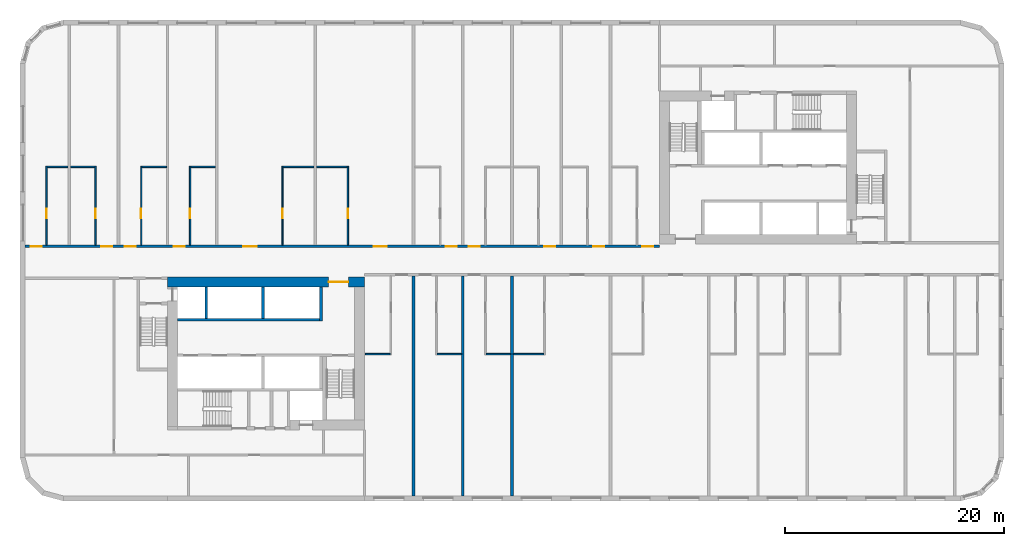
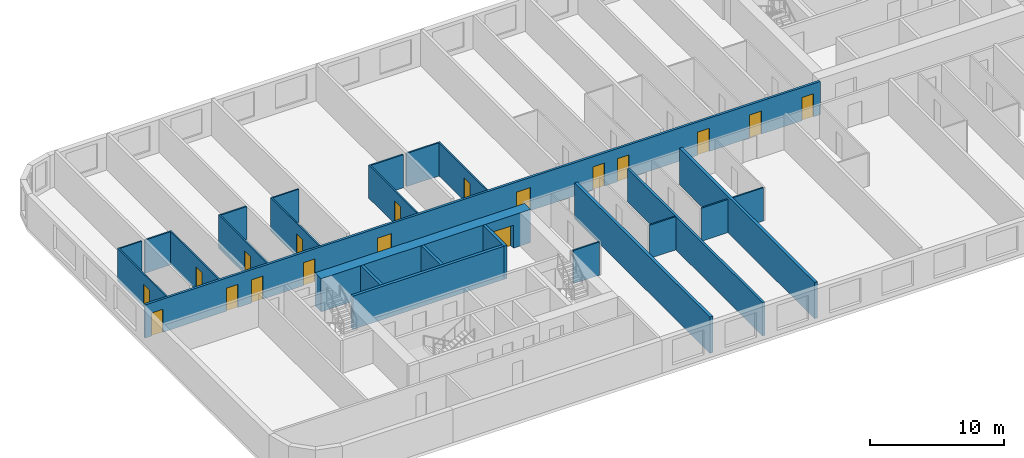
# One storey, part 3 of 12: 25 walls, 18 doors, 18 openings.
"""IFC4 building model written with IfcOpenShell, lengths in metres."""

from ifc_helpers import new_model, si_unit, direction, frame, frame_2d, origin, place, context, subcontext, project, spatial, rectangle, extrude, material, layer, layer_set, type_object, element, fill, save


model = new_model("IFC4")

# Units and contexts
model_context = context("Model", 3, precision=1e-05, world=origin(), true_north=direction((0.0, 1.0)))
body_context = subcontext(model_context, "Body", "Model", "MODEL_VIEW")
ifc_project = project(units=[si_unit("LENGTHUNIT", "METRE"), si_unit("AREAUNIT", "SQUARE_METRE"), si_unit("VOLUMEUNIT", "CUBIC_METRE"), si_unit("PLANEANGLEUNIT", "RADIAN"), si_unit("MASSUNIT", "GRAM", prefix="KILO")], contexts=[model_context])

# Site, building, storey
site_placement = place(None, origin())
site = spatial("IfcSite", under=ifc_project, at=site_placement, CompositionType="ELEMENT")
building_placement = place(site_placement, origin())
building = spatial("IfcBuilding", under=site, at=building_placement, Name="Kajstack Hotel Tower", CompositionType="ELEMENT")
storey_placement = place(building_placement, frame((0.0, 0.0, 73.199951171875)))
storey = spatial("IfcBuildingStorey", under=building, at=storey_placement, Name="L13", CompositionType="ELEMENT", Elevation=73.199951171875)

# Wall, opening, door
ifc_material_1 = material(Name="Concrete C60/75", Category="concrete")
ifc_layer_1 = layer(ifc_material_1, 0.89990234375)
ifc_layer_set_1 = layer_set([ifc_layer_1], Name="Core wall 900")
wall_type_1 = type_object("IfcWallType", Name="Core wall 900", PredefinedType="SHEAR", material=ifc_layer_set_1)
wall_1_placement = place(storey_placement, frame((-31.5, -1.949951171875, 0.0), z_axis=(0.0, 0.0, 1.0), x_axis=(1.0, 0.0, 0.0)))
wall_1 = element("IfcWall", 1, at=wall_1_placement, inside=storey, type_object=wall_type_1, Name="Core wall W RN", PredefinedType="SHEAR", context=body_context, shape_type="SweptSolid", body=[
    extrude(rectangle(XDim=18.0, YDim=0.89990234375, at=frame_2d((9.0, 0.0))), origin(), (0.0, 0.0, 1.0), 3.02001953125),
])
opening_1_placement = place(wall_1_placement, frame((14.72509765625, 0.0, 0.0)))
opening_1 = element("IfcOpeningElement", 2, at=opening_1_placement, cuts=wall_1, Name="Opening 13W06", PredefinedType="OPENING", context=body_context, shape_type="SweptSolid", body=[
    extrude(rectangle(XDim=1.800048828125, YDim=2.10009765625, at=frame_2d((0.89990234375, 1.050048828125))), frame((0.0, 0.4599609375, 0.0), z_axis=(0.0, -1.0, 0.0), x_axis=(1.0, 0.0, 0.0)), (0.0, 0.0, 1.0), 0.919921875),
])
ifc_material_2 = material(Name="Glazed steel frame, fire-rated glass", Category="steel")
door_type_1 = type_object("IfcDoorType", Name="Lobby double door 1800", OperationType="DOUBLE_DOOR_DOUBLE_SWING", PredefinedType="DOOR", material=ifc_material_2)
door_1_placement = place(opening_1_placement, origin())
door_1 = element("IfcDoor", 3, at=door_1_placement, inside=storey, type_object=door_type_1, Name="Door 13W06", OperationType="DOUBLE_DOOR_DOUBLE_SWING", OverallHeight=2.10009765625, OverallWidth=1.800048828125, PredefinedType="DOOR", context=body_context, shape_type="SweptSolid", body=[
    extrude(rectangle(XDim=1.800048828125, YDim=2.10009765625, at=frame_2d((0.89990234375, 1.050048828125))), frame((0.0, 0.02490234375, 0.0), z_axis=(0.0, -1.0, 0.0), x_axis=(1.0, 0.0, 0.0)), (0.0, 0.0, 1.0), 0.050048828125),
])
fill(opening_1, door_1)

# Wall, openings, doors
ifc_material_3 = material(Name="Gypsum board on steel studs, mineral wool", Category="steel")
ifc_layer_2 = layer(ifc_material_3, 0.199951171875)
ifc_layer_set_2 = layer_set([ifc_layer_2], Name="Corridor wall 200")
wall_type_2 = type_object("IfcWallType", Name="Corridor wall 200", PredefinedType="PARTITIONING", material=ifc_layer_set_2)
wall_2_placement = place(storey_placement, frame((-44.550048828125, 1.300048828125, 0.0), z_axis=(0.0, 0.0, 1.0), x_axis=(1.0, 0.0, 0.0)))
wall_2 = element("IfcWall", 4, at=wall_2_placement, inside=storey, type_object=wall_type_2, Name="G-wall-L13-003", PredefinedType="PARTITIONING", context=body_context, shape_type="SweptSolid", body=[
    extrude(rectangle(XDim=58.050048828125, YDim=0.199951171875, at=frame_2d((29.02490234375, 0.0))), origin(), (0.0, 0.0, 1.0), 3.02001953125),
])
opening_2_placement = place(wall_2_placement, frame((0.52490234375, 0.0, 0.0)))
opening_2 = element("IfcOpeningElement", 5, at=opening_2_placement, cuts=wall_2, Name="Opening 13001", PredefinedType="OPENING", context=body_context, shape_type="SweptSolid", body=[
    extrude(rectangle(XDim=1.0, YDim=2.10009765625, at=frame_2d((0.5, 1.050048828125))), frame((0.0, 0.10986328125, 0.0), z_axis=(0.0, -1.0, 0.0), x_axis=(1.0, 0.0, 0.0)), (0.0, 0.0, 1.0), 0.219970703125),
])
opening_3_placement = place(wall_2_placement, frame((6.97509765625, 0.0, 0.0)))
opening_3 = element("IfcOpeningElement", 6, at=opening_3_placement, cuts=wall_2, Name="Opening 13003", PredefinedType="OPENING", context=body_context, shape_type="SweptSolid", body=[
    extrude(rectangle(XDim=1.0, YDim=2.10009765625, at=frame_2d((0.5, 1.050048828125))), frame((0.0, 0.10986328125, 0.0), z_axis=(0.0, -1.0, 0.0), x_axis=(1.0, 0.0, 0.0)), (0.0, 0.0, 1.0), 0.219970703125),
])
opening_4_placement = place(wall_2_placement, frame((9.125, 0.0, 0.0)))
opening_4 = element("IfcOpeningElement", 7, at=opening_4_placement, cuts=wall_2, Name="Opening 13005", PredefinedType="OPENING", context=body_context, shape_type="SweptSolid", body=[
    extrude(rectangle(XDim=1.0, YDim=2.10009765625, at=frame_2d((0.5, 1.050048828125))), frame((0.0, 0.10986328125, 0.0), z_axis=(0.0, -1.0, 0.0), x_axis=(1.0, 0.0, 0.0)), (0.0, 0.0, 1.0), 0.219970703125),
])
opening_5_placement = place(wall_2_placement, frame((13.60009765625, 0.0, 0.0)))
opening_5 = element("IfcOpeningElement", 8, at=opening_5_placement, cuts=wall_2, Name="Opening 13007", PredefinedType="OPENING", context=body_context, shape_type="SweptSolid", body=[
    extrude(rectangle(XDim=1.0, YDim=2.10009765625, at=frame_2d((0.5, 1.050048828125))), frame((0.0, 0.10986328125, 0.0), z_axis=(0.0, -1.0, 0.0), x_axis=(1.0, 0.0, 0.0)), (0.0, 0.0, 1.0), 0.219970703125),
])
opening_6_placement = place(wall_2_placement, frame((19.987060546875, 0.0, 0.0)))
opening_6 = element("IfcOpeningElement", 9, at=opening_6_placement, cuts=wall_2, Name="Opening 13009", PredefinedType="OPENING", context=body_context, shape_type="SweptSolid", body=[
    extrude(rectangle(XDim=1.199951171875, YDim=2.10009765625, at=frame_2d((0.60009765625, 1.050048828125))), frame((0.0, 0.10986328125, 0.0), z_axis=(0.0, -1.0, 0.0), x_axis=(1.0, 0.0, 0.0)), (0.0, 0.0, 1.0), 0.219970703125),
])
opening_7_placement = place(wall_2_placement, frame((31.912109375, 0.0, 0.0)))
opening_7 = element("IfcOpeningElement", 10, at=opening_7_placement, cuts=wall_2, Name="Opening 13011", PredefinedType="OPENING", context=body_context, shape_type="SweptSolid", body=[
    extrude(rectangle(XDim=1.199951171875, YDim=2.10009765625, at=frame_2d((0.60009765625, 1.050048828125))), frame((0.0, 0.10986328125, 0.0), z_axis=(0.0, -1.0, 0.0), x_axis=(1.0, 0.0, 0.0)), (0.0, 0.0, 1.0), 0.219970703125),
])
opening_8_placement = place(wall_2_placement, frame((38.5, 0.0, 0.0)))
opening_8 = element("IfcOpeningElement", 11, at=opening_8_placement, cuts=wall_2, Name="Opening 13013", PredefinedType="OPENING", context=body_context, shape_type="SweptSolid", body=[
    extrude(rectangle(XDim=1.0, YDim=2.10009765625, at=frame_2d((0.5, 1.050048828125))), frame((0.0, 0.10986328125, 0.0), z_axis=(0.0, -1.0, 0.0), x_axis=(1.0, 0.0, 0.0)), (0.0, 0.0, 1.0), 0.219970703125),
])
opening_9_placement = place(wall_2_placement, frame((40.60009765625, 0.0, 0.0)))
opening_9 = element("IfcOpeningElement", 12, at=opening_9_placement, cuts=wall_2, Name="Opening 13015", PredefinedType="OPENING", context=body_context, shape_type="SweptSolid", body=[
    extrude(rectangle(XDim=1.0, YDim=2.10009765625, at=frame_2d((0.5, 1.050048828125))), frame((0.0, 0.10986328125, 0.0), z_axis=(0.0, -1.0, 0.0), x_axis=(1.0, 0.0, 0.0)), (0.0, 0.0, 1.0), 0.219970703125),
])
opening_10_placement = place(wall_2_placement, frame((47.5, 0.0, 0.0)))
opening_10 = element("IfcOpeningElement", 13, at=opening_10_placement, cuts=wall_2, Name="Opening 13017", PredefinedType="OPENING", context=body_context, shape_type="SweptSolid", body=[
    extrude(rectangle(XDim=1.0, YDim=2.10009765625, at=frame_2d((0.5, 1.050048828125))), frame((0.0, 0.10986328125, 0.0), z_axis=(0.0, -1.0, 0.0), x_axis=(1.0, 0.0, 0.0)), (0.0, 0.0, 1.0), 0.219970703125),
])
opening_11_placement = place(wall_2_placement, frame((51.97509765625, 0.0, 0.0)))
opening_11 = element("IfcOpeningElement", 14, at=opening_11_placement, cuts=wall_2, Name="Opening 13019", PredefinedType="OPENING", context=body_context, shape_type="SweptSolid", body=[
    extrude(rectangle(XDim=1.0, YDim=2.10009765625, at=frame_2d((0.5, 1.050048828125))), frame((0.0, 0.10986328125, 0.0), z_axis=(0.0, -1.0, 0.0), x_axis=(1.0, 0.0, 0.0)), (0.0, 0.0, 1.0), 0.219970703125),
])
opening_12_placement = place(wall_2_placement, frame((56.47509765625, 0.0, 0.0)))
opening_12 = element("IfcOpeningElement", 15, at=opening_12_placement, cuts=wall_2, Name="Opening 13021", PredefinedType="OPENING", context=body_context, shape_type="SweptSolid", body=[
    extrude(rectangle(XDim=1.0, YDim=2.10009765625, at=frame_2d((0.5, 1.050048828125))), frame((0.0, 0.10986328125, 0.0), z_axis=(0.0, -1.0, 0.0), x_axis=(1.0, 0.0, 0.0)), (0.0, 0.0, 1.0), 0.219970703125),
])
ifc_material_4 = material(Name="Oak veneer on timber core, fire-rated leaf", Category="wood")
door_type_2 = type_object("IfcDoorType", Name="Flat entrance door 1000", OperationType="SINGLE_SWING_LEFT", PredefinedType="DOOR", material=ifc_material_4)
door_2_placement = place(opening_2_placement, origin())
door_2 = element("IfcDoor", 16, at=door_2_placement, inside=storey, type_object=door_type_2, Name="G-door-L13-01", OperationType="SINGLE_SWING_RIGHT", OverallHeight=2.10009765625, OverallWidth=1.0, PredefinedType="DOOR", context=body_context, shape_type="SweptSolid", body=[
    extrude(rectangle(XDim=1.0, YDim=2.10009765625, at=frame_2d((0.5, 1.050048828125))), frame((0.0, 0.02490234375, 0.0), z_axis=(0.0, -1.0, 0.0), x_axis=(1.0, 0.0, 0.0)), (0.0, 0.0, 1.0), 0.050048828125),
])
fill(opening_2, door_2)
door_3_placement = place(opening_3_placement, origin())
door_3 = element("IfcDoor", 17, at=door_3_placement, inside=storey, type_object=door_type_2, Name="G-door-L13-03", OperationType="SINGLE_SWING_LEFT", OverallHeight=2.10009765625, OverallWidth=1.0, PredefinedType="DOOR", context=body_context, shape_type="SweptSolid", body=[
    extrude(rectangle(XDim=1.0, YDim=2.10009765625, at=frame_2d((0.5, 1.050048828125))), frame((0.0, 0.02490234375, 0.0), z_axis=(0.0, -1.0, 0.0), x_axis=(1.0, 0.0, 0.0)), (0.0, 0.0, 1.0), 0.050048828125),
])
fill(opening_3, door_3)
door_4_placement = place(opening_4_placement, origin())
door_4 = element("IfcDoor", 18, at=door_4_placement, inside=storey, type_object=door_type_2, Name="G-door-L13-05", OperationType="SINGLE_SWING_RIGHT", OverallHeight=2.10009765625, OverallWidth=1.0, PredefinedType="DOOR", context=body_context, shape_type="SweptSolid", body=[
    extrude(rectangle(XDim=1.0, YDim=2.10009765625, at=frame_2d((0.5, 1.050048828125))), frame((0.0, 0.02490234375, 0.0), z_axis=(0.0, -1.0, 0.0), x_axis=(1.0, 0.0, 0.0)), (0.0, 0.0, 1.0), 0.050048828125),
])
fill(opening_4, door_4)
door_5_placement = place(opening_5_placement, origin())
door_5 = element("IfcDoor", 19, at=door_5_placement, inside=storey, type_object=door_type_2, Name="G-door-L13-07", OperationType="SINGLE_SWING_RIGHT", OverallHeight=2.10009765625, OverallWidth=1.0, PredefinedType="DOOR", context=body_context, shape_type="SweptSolid", body=[
    extrude(rectangle(XDim=1.0, YDim=2.10009765625, at=frame_2d((0.5, 1.050048828125))), frame((0.0, 0.02490234375, 0.0), z_axis=(0.0, -1.0, 0.0), x_axis=(1.0, 0.0, 0.0)), (0.0, 0.0, 1.0), 0.050048828125),
])
fill(opening_5, door_5)
door_6_placement = place(opening_8_placement, origin())
door_6 = element("IfcDoor", 20, at=door_6_placement, inside=storey, type_object=door_type_2, Name="G-door-L13-13", OperationType="SINGLE_SWING_RIGHT", OverallHeight=2.10009765625, OverallWidth=1.0, PredefinedType="DOOR", context=body_context, shape_type="SweptSolid", body=[
    extrude(rectangle(XDim=1.0, YDim=2.10009765625, at=frame_2d((0.5, 1.050048828125))), frame((0.0, 0.02490234375, 0.0), z_axis=(0.0, -1.0, 0.0), x_axis=(1.0, 0.0, 0.0)), (0.0, 0.0, 1.0), 0.050048828125),
])
fill(opening_8, door_6)
door_7_placement = place(opening_9_placement, origin())
door_7 = element("IfcDoor", 21, at=door_7_placement, inside=storey, type_object=door_type_2, Name="G-door-L13-15", OperationType="SINGLE_SWING_RIGHT", OverallHeight=2.10009765625, OverallWidth=1.0, PredefinedType="DOOR", context=body_context, shape_type="SweptSolid", body=[
    extrude(rectangle(XDim=1.0, YDim=2.10009765625, at=frame_2d((0.5, 1.050048828125))), frame((0.0, 0.02490234375, 0.0), z_axis=(0.0, -1.0, 0.0), x_axis=(1.0, 0.0, 0.0)), (0.0, 0.0, 1.0), 0.050048828125),
])
fill(opening_9, door_7)
door_8_placement = place(opening_10_placement, origin())
door_8 = element("IfcDoor", 22, at=door_8_placement, inside=storey, type_object=door_type_2, Name="G-door-L13-17", OperationType="SINGLE_SWING_RIGHT", OverallHeight=2.10009765625, OverallWidth=1.0, PredefinedType="DOOR", context=body_context, shape_type="SweptSolid", body=[
    extrude(rectangle(XDim=1.0, YDim=2.10009765625, at=frame_2d((0.5, 1.050048828125))), frame((0.0, 0.02490234375, 0.0), z_axis=(0.0, -1.0, 0.0), x_axis=(1.0, 0.0, 0.0)), (0.0, 0.0, 1.0), 0.050048828125),
])
fill(opening_10, door_8)
door_9_placement = place(opening_11_placement, origin())
door_9 = element("IfcDoor", 23, at=door_9_placement, inside=storey, type_object=door_type_2, Name="G-door-L13-19", OperationType="SINGLE_SWING_LEFT", OverallHeight=2.10009765625, OverallWidth=1.0, PredefinedType="DOOR", context=body_context, shape_type="SweptSolid", body=[
    extrude(rectangle(XDim=1.0, YDim=2.10009765625, at=frame_2d((0.5, 1.050048828125))), frame((0.0, 0.02490234375, 0.0), z_axis=(0.0, -1.0, 0.0), x_axis=(1.0, 0.0, 0.0)), (0.0, 0.0, 1.0), 0.050048828125),
])
fill(opening_11, door_9)
door_10_placement = place(opening_12_placement, origin())
door_10 = element("IfcDoor", 24, at=door_10_placement, inside=storey, type_object=door_type_2, Name="G-door-L13-21", OperationType="SINGLE_SWING_LEFT", OverallHeight=2.10009765625, OverallWidth=1.0, PredefinedType="DOOR", context=body_context, shape_type="SweptSolid", body=[
    extrude(rectangle(XDim=1.0, YDim=2.10009765625, at=frame_2d((0.5, 1.050048828125))), frame((0.0, 0.02490234375, 0.0), z_axis=(0.0, -1.0, 0.0), x_axis=(1.0, 0.0, 0.0)), (0.0, 0.0, 1.0), 0.050048828125),
])
fill(opening_12, door_10)
door_type_3 = type_object("IfcDoorType", Name="Flat entrance door 1200", OperationType="SINGLE_SWING_LEFT", PredefinedType="DOOR", material=ifc_material_4)
door_11_placement = place(opening_6_placement, origin())
door_11 = element("IfcDoor", 25, at=door_11_placement, inside=storey, type_object=door_type_3, Name="G-door-L13-09", OperationType="SINGLE_SWING_RIGHT", OverallHeight=2.10009765625, OverallWidth=1.199951171875, PredefinedType="DOOR", context=body_context, shape_type="SweptSolid", body=[
    extrude(rectangle(XDim=1.199951171875, YDim=2.10009765625, at=frame_2d((0.60009765625, 1.050048828125))), frame((0.0, 0.02490234375, 0.0), z_axis=(0.0, -1.0, 0.0), x_axis=(1.0, 0.0, 0.0)), (0.0, 0.0, 1.0), 0.050048828125),
])
fill(opening_6, door_11)
door_12_placement = place(opening_7_placement, origin())
door_12 = element("IfcDoor", 26, at=door_12_placement, inside=storey, type_object=door_type_3, Name="G-door-L13-11", OperationType="SINGLE_SWING_RIGHT", OverallHeight=2.10009765625, OverallWidth=1.199951171875, PredefinedType="DOOR", context=body_context, shape_type="SweptSolid", body=[
    extrude(rectangle(XDim=1.199951171875, YDim=2.10009765625, at=frame_2d((0.60009765625, 1.050048828125))), frame((0.0, 0.02490234375, 0.0), z_axis=(0.0, -1.0, 0.0), x_axis=(1.0, 0.0, 0.0)), (0.0, 0.0, 1.0), 0.050048828125),
])
fill(opening_7, door_12)

# Wall
ifc_material_5 = material(Name="Twin-frame gypsum board on steel studs, mineral wool", Category="steel")
ifc_layer_3 = layer(ifc_material_5, 0.199951171875)
ifc_layer_set_3 = layer_set([ifc_layer_3], Name="Demising wall 200")
wall_type_3 = type_object("IfcWallType", Name="Demising wall 200", PredefinedType="PARTITIONING", material=ifc_layer_set_3)
wall_3_placement = place(storey_placement, frame((-4.5, -21.550048828125, 0.0), z_axis=(0.0, 0.0, 1.0), x_axis=(0.0, 1.0, 0.0)))
element("IfcWall", 27, at=wall_3_placement, inside=storey, type_object=wall_type_3, Name="G-wall-L13-032", PredefinedType="PARTITIONING", context=body_context, shape_type="SweptSolid", body=[
    extrude(rectangle(XDim=20.150146484375, YDim=0.199951171875, at=frame_2d((10.0751953125, 0.0))), origin(), (0.0, 0.0, 1.0), 3.02001953125),
])

# Wall, opening, door
ifc_material_6 = material(Name="Gypsum board and tiled backer on steel studs", Category="steel")
ifc_layer_4 = layer(ifc_material_6, 0.125)
ifc_layer_set_4 = layer_set([ifc_layer_4], Name="En-suite wall 125")
wall_type_4 = type_object("IfcWallType", Name="En-suite wall 125", PredefinedType="PARTITIONING", material=ifc_layer_set_4)
wall_4_placement = place(storey_placement, frame((-42.5869140625, 1.39990234375, 0.0), z_axis=(0.0, 0.0, 1.0), x_axis=(0.0, 1.0, 0.0)))
wall_4 = element("IfcWall", 28, at=wall_4_placement, inside=storey, type_object=wall_type_4, Name="G-wall-L13-004", PredefinedType="PARTITIONING", context=body_context, shape_type="SweptSolid", body=[
    extrude(rectangle(XDim=7.22509765625, YDim=0.125, at=frame_2d((3.612548828125, 0.0))), origin(), (0.0, 0.0, 1.0), 3.02001953125),
])
opening_13_placement = place(wall_4_placement, frame((2.449951171875, 0.0, 0.0)))
opening_13 = element("IfcOpeningElement", 29, at=opening_13_placement, cuts=wall_4, Name="Opening 13002", PredefinedType="OPENING", context=body_context, shape_type="SweptSolid", body=[
    extrude(rectangle(XDim=0.89990234375, YDim=2.10009765625, at=frame_2d((0.449951171875, 1.050048828125))), frame((0.0, 0.072509765625, 0.0), z_axis=(0.0, -1.0, 0.0), x_axis=(1.0, 0.0, 0.0)), (0.0, 0.0, 1.0), 0.14501953125),
])
ifc_material_7 = material(Name="Painted timber door leaf", Category="wood")
door_type_4 = type_object("IfcDoorType", Name="Room door 900", OperationType="SINGLE_SWING_LEFT", PredefinedType="DOOR", material=ifc_material_7)
door_13_placement = place(opening_13_placement, origin())
door_13 = element("IfcDoor", 30, at=door_13_placement, inside=storey, type_object=door_type_4, Name="G-door-L13-02", OperationType="SINGLE_SWING_LEFT", OverallHeight=2.10009765625, OverallWidth=0.89990234375, PredefinedType="DOOR", context=body_context, shape_type="SweptSolid", body=[
    extrude(rectangle(XDim=0.89990234375, YDim=2.10009765625, at=frame_2d((0.449951171875, 1.050048828125))), frame((0.0, 0.02490234375, 0.0), z_axis=(0.0, -1.0, 0.0), x_axis=(1.0, 0.0, 0.0)), (0.0, 0.0, 1.0), 0.050048828125),
])
fill(opening_13, door_13)

# Wall
wall_5_placement = place(storey_placement, frame((-42.52490234375, 8.56201171875, 0.0), z_axis=(0.0, 0.0, 1.0), x_axis=(1.0, 0.0, 0.0)))
element("IfcWall", 31, at=wall_5_placement, inside=storey, type_object=wall_type_4, Name="G-wall-L13-005", PredefinedType="PARTITIONING", context=body_context, shape_type="SweptSolid", body=[
    extrude(rectangle(XDim=1.89990234375, YDim=0.125, at=frame_2d((0.949951171875, 0.0))), origin(), (0.0, 0.0, 1.0), 3.02001953125),
])

# Wall, opening, door
wall_6_placement = place(storey_placement, frame((-38.0869140625, 1.39990234375, 0.0), z_axis=(0.0, 0.0, 1.0), x_axis=(0.0, 1.0, 0.0)))
wall_6 = element("IfcWall", 32, at=wall_6_placement, inside=storey, type_object=wall_type_4, Name="G-wall-L13-006", PredefinedType="PARTITIONING", context=body_context, shape_type="SweptSolid", body=[
    extrude(rectangle(XDim=7.22509765625, YDim=0.125, at=frame_2d((3.612548828125, 0.0))), origin(), (0.0, 0.0, 1.0), 3.02001953125),
])
opening_14_placement = place(wall_6_placement, frame((2.449951171875, 0.0, 0.0)))
opening_14 = element("IfcOpeningElement", 33, at=opening_14_placement, cuts=wall_6, Name="Opening 13004", PredefinedType="OPENING", context=body_context, shape_type="SweptSolid", body=[
    extrude(rectangle(XDim=0.89990234375, YDim=2.10009765625, at=frame_2d((0.449951171875, 1.050048828125))), frame((0.0, 0.072509765625, 0.0), z_axis=(0.0, -1.0, 0.0), x_axis=(1.0, 0.0, 0.0)), (0.0, 0.0, 1.0), 0.14501953125),
])
door_14_placement = place(opening_14_placement, origin())
door_14 = element("IfcDoor", 34, at=door_14_placement, inside=storey, type_object=door_type_4, Name="G-door-L13-04", OperationType="SINGLE_SWING_RIGHT", OverallHeight=2.10009765625, OverallWidth=0.89990234375, PredefinedType="DOOR", context=body_context, shape_type="SweptSolid", body=[
    extrude(rectangle(XDim=0.89990234375, YDim=2.10009765625, at=frame_2d((0.449951171875, 1.050048828125))), frame((0.0, 0.02490234375, 0.0), z_axis=(0.0, -1.0, 0.0), x_axis=(1.0, 0.0, 0.0)), (0.0, 0.0, 1.0), 0.050048828125),
])
fill(opening_14, door_14)

# Wall
wall_7_placement = place(storey_placement, frame((-40.375, 8.56201171875, 0.0), z_axis=(0.0, 0.0, 1.0), x_axis=(1.0, 0.0, 0.0)))
element("IfcWall", 35, at=wall_7_placement, inside=storey, type_object=wall_type_4, Name="G-wall-L13-007", PredefinedType="PARTITIONING", context=body_context, shape_type="SweptSolid", body=[
    extrude(rectangle(XDim=2.22509765625, YDim=0.125, at=frame_2d((1.112548828125, 0.0))), origin(), (0.0, 0.0, 1.0), 3.02001953125),
])

# Wall, opening, door
wall_8_placement = place(storey_placement, frame((-33.9130859375, 1.39990234375, 0.0), z_axis=(0.0, 0.0, 1.0), x_axis=(0.0, 1.0, 0.0)))
wall_8 = element("IfcWall", 36, at=wall_8_placement, inside=storey, type_object=wall_type_4, Name="G-wall-L13-009", PredefinedType="PARTITIONING", context=body_context, shape_type="SweptSolid", body=[
    extrude(rectangle(XDim=7.22509765625, YDim=0.125, at=frame_2d((3.612548828125, 0.0))), origin(), (0.0, 0.0, 1.0), 3.02001953125),
])
opening_15_placement = place(wall_8_placement, frame((2.449951171875, 0.0, 0.0)))
opening_15 = element("IfcOpeningElement", 37, at=opening_15_placement, cuts=wall_8, Name="Opening 13006", PredefinedType="OPENING", context=body_context, shape_type="SweptSolid", body=[
    extrude(rectangle(XDim=0.89990234375, YDim=2.10009765625, at=frame_2d((0.449951171875, 1.050048828125))), frame((0.0, 0.072509765625, 0.0), z_axis=(0.0, -1.0, 0.0), x_axis=(1.0, 0.0, 0.0)), (0.0, 0.0, 1.0), 0.14501953125),
])
door_15_placement = place(opening_15_placement, origin())
door_15 = element("IfcDoor", 38, at=door_15_placement, inside=storey, type_object=door_type_4, Name="G-door-L13-06", OperationType="SINGLE_SWING_RIGHT", OverallHeight=2.10009765625, OverallWidth=0.89990234375, PredefinedType="DOOR", context=body_context, shape_type="SweptSolid", body=[
    extrude(rectangle(XDim=0.89990234375, YDim=2.10009765625, at=frame_2d((0.449951171875, 1.050048828125))), frame((0.0, 0.02490234375, 0.0), z_axis=(0.0, -1.0, 0.0), x_axis=(1.0, 0.0, 0.0)), (0.0, 0.0, 1.0), 0.050048828125),
])
fill(opening_15, door_15)

# Wall
wall_9_placement = place(storey_placement, frame((-33.85009765625, 8.56201171875, 0.0), z_axis=(0.0, 0.0, 1.0), x_axis=(1.0, 0.0, 0.0)))
element("IfcWall", 39, at=wall_9_placement, inside=storey, type_object=wall_type_4, Name="G-wall-L13-010", PredefinedType="PARTITIONING", context=body_context, shape_type="SweptSolid", body=[
    extrude(rectangle(XDim=2.25, YDim=0.125, at=frame_2d((1.125, 0.0))), origin(), (0.0, 0.0, 1.0), 3.02001953125),
])

# Wall, opening, door
wall_10_placement = place(storey_placement, frame((-29.43798828125, 1.39990234375, 0.0), z_axis=(0.0, 0.0, 1.0), x_axis=(0.0, 1.0, 0.0)))
wall_10 = element("IfcWall", 40, at=wall_10_placement, inside=storey, type_object=wall_type_4, Name="G-wall-L13-011", PredefinedType="PARTITIONING", context=body_context, shape_type="SweptSolid", body=[
    extrude(rectangle(XDim=7.22509765625, YDim=0.125, at=frame_2d((3.612548828125, 0.0))), origin(), (0.0, 0.0, 1.0), 3.02001953125),
])
opening_16_placement = place(wall_10_placement, frame((2.449951171875, 0.0, 0.0)))
opening_16 = element("IfcOpeningElement", 41, at=opening_16_placement, cuts=wall_10, Name="Opening 13008", PredefinedType="OPENING", context=body_context, shape_type="SweptSolid", body=[
    extrude(rectangle(XDim=0.89990234375, YDim=2.10009765625, at=frame_2d((0.449951171875, 1.050048828125))), frame((0.0, 0.072509765625, 0.0), z_axis=(0.0, -1.0, 0.0), x_axis=(1.0, 0.0, 0.0)), (0.0, 0.0, 1.0), 0.14501953125),
])
door_16_placement = place(opening_16_placement, origin())
door_16 = element("IfcDoor", 42, at=door_16_placement, inside=storey, type_object=door_type_4, Name="G-door-L13-08", OperationType="SINGLE_SWING_LEFT", OverallHeight=2.10009765625, OverallWidth=0.89990234375, PredefinedType="DOOR", context=body_context, shape_type="SweptSolid", body=[
    extrude(rectangle(XDim=0.89990234375, YDim=2.10009765625, at=frame_2d((0.449951171875, 1.050048828125))), frame((0.0, 0.02490234375, 0.0), z_axis=(0.0, -1.0, 0.0), x_axis=(1.0, 0.0, 0.0)), (0.0, 0.0, 1.0), 0.050048828125),
])
fill(opening_16, door_16)

# Wall
wall_11_placement = place(storey_placement, frame((-29.375, 8.56201171875, 0.0), z_axis=(0.0, 0.0, 1.0), x_axis=(1.0, 0.0, 0.0)))
element("IfcWall", 43, at=wall_11_placement, inside=storey, type_object=wall_type_4, Name="G-wall-L13-012", PredefinedType="PARTITIONING", context=body_context, shape_type="SweptSolid", body=[
    extrude(rectangle(XDim=2.25, YDim=0.125, at=frame_2d((1.125, 0.0))), origin(), (0.0, 0.0, 1.0), 3.02001953125),
])

# Wall, opening, door
wall_12_placement = place(storey_placement, frame((-20.988037109375, 1.39990234375, 0.0), z_axis=(0.0, 0.0, 1.0), x_axis=(0.0, 1.0, 0.0)))
wall_12 = element("IfcWall", 44, at=wall_12_placement, inside=storey, type_object=wall_type_4, Name="G-wall-L13-013", PredefinedType="PARTITIONING", context=body_context, shape_type="SweptSolid", body=[
    extrude(rectangle(XDim=7.22509765625, YDim=0.125, at=frame_2d((3.612548828125, 0.0))), origin(), (0.0, 0.0, 1.0), 3.02001953125),
])
opening_17_placement = place(wall_12_placement, frame((2.449951171875, 0.0, 0.0)))
opening_17 = element("IfcOpeningElement", 45, at=opening_17_placement, cuts=wall_12, Name="Opening 13010", PredefinedType="OPENING", context=body_context, shape_type="SweptSolid", body=[
    extrude(rectangle(XDim=0.89990234375, YDim=2.10009765625, at=frame_2d((0.449951171875, 1.050048828125))), frame((0.0, 0.072509765625, 0.0), z_axis=(0.0, -1.0, 0.0), x_axis=(1.0, 0.0, 0.0)), (0.0, 0.0, 1.0), 0.14501953125),
])
door_17_placement = place(opening_17_placement, origin())
door_17 = element("IfcDoor", 46, at=door_17_placement, inside=storey, type_object=door_type_4, Name="G-door-L13-10", OperationType="SINGLE_SWING_RIGHT", OverallHeight=2.10009765625, OverallWidth=0.89990234375, PredefinedType="DOOR", context=body_context, shape_type="SweptSolid", body=[
    extrude(rectangle(XDim=0.89990234375, YDim=2.10009765625, at=frame_2d((0.449951171875, 1.050048828125))), frame((0.0, 0.02490234375, 0.0), z_axis=(0.0, -1.0, 0.0), x_axis=(1.0, 0.0, 0.0)), (0.0, 0.0, 1.0), 0.050048828125),
])
fill(opening_17, door_17)

# Wall
wall_13_placement = place(storey_placement, frame((-20.925048828125, 8.56201171875, 0.0), z_axis=(0.0, 0.0, 1.0), x_axis=(1.0, 0.0, 0.0)))
element("IfcWall", 47, at=wall_13_placement, inside=storey, type_object=wall_type_4, Name="G-wall-L13-014", PredefinedType="PARTITIONING", context=body_context, shape_type="SweptSolid", body=[
    extrude(rectangle(XDim=2.800048828125, YDim=0.125, at=frame_2d((1.39990234375, 0.0))), origin(), (0.0, 0.0, 1.0), 3.02001953125),
])

# Wall, opening, door
wall_14_placement = place(storey_placement, frame((-15.011962890625, 1.39990234375, 0.0), z_axis=(0.0, 0.0, 1.0), x_axis=(0.0, 1.0, 0.0)))
wall_14 = element("IfcWall", 48, at=wall_14_placement, inside=storey, type_object=wall_type_4, Name="G-wall-L13-015", PredefinedType="PARTITIONING", context=body_context, shape_type="SweptSolid", body=[
    extrude(rectangle(XDim=7.22509765625, YDim=0.125, at=frame_2d((3.612548828125, 0.0))), origin(), (0.0, 0.0, 1.0), 3.02001953125),
])
opening_18_placement = place(wall_14_placement, frame((2.449951171875, 0.0, 0.0)))
opening_18 = element("IfcOpeningElement", 49, at=opening_18_placement, cuts=wall_14, Name="Opening 13012", PredefinedType="OPENING", context=body_context, shape_type="SweptSolid", body=[
    extrude(rectangle(XDim=0.89990234375, YDim=2.10009765625, at=frame_2d((0.449951171875, 1.050048828125))), frame((0.0, 0.072509765625, 0.0), z_axis=(0.0, -1.0, 0.0), x_axis=(1.0, 0.0, 0.0)), (0.0, 0.0, 1.0), 0.14501953125),
])
door_18_placement = place(opening_18_placement, origin())
door_18 = element("IfcDoor", 50, at=door_18_placement, inside=storey, type_object=door_type_4, Name="G-door-L13-12", OperationType="SINGLE_SWING_RIGHT", OverallHeight=2.10009765625, OverallWidth=0.89990234375, PredefinedType="DOOR", context=body_context, shape_type="SweptSolid", body=[
    extrude(rectangle(XDim=0.89990234375, YDim=2.10009765625, at=frame_2d((0.449951171875, 1.050048828125))), frame((0.0, 0.02490234375, 0.0), z_axis=(0.0, -1.0, 0.0), x_axis=(1.0, 0.0, 0.0)), (0.0, 0.0, 1.0), 0.050048828125),
])
fill(opening_18, door_18)

# Walls
wall_15_placement = place(storey_placement, frame((-17.875, 8.56201171875, 0.0), z_axis=(0.0, 0.0, 1.0), x_axis=(1.0, 0.0, 0.0)))
element("IfcWall", 51, at=wall_15_placement, inside=storey, type_object=wall_type_4, Name="G-wall-L13-016", PredefinedType="PARTITIONING", context=body_context, shape_type="SweptSolid", body=[
    extrude(rectangle(XDim=2.800048828125, YDim=0.125, at=frame_2d((1.39990234375, 0.0))), origin(), (0.0, 0.0, 1.0), 3.02001953125),
])
for number, where, z_axis, x_axis, name in (
    (52, (-13.39990234375, -8.56201171875, 0.0), (0.0, 0.0, 1.0), (1.0, 0.0, 0.0), "G-wall-L13-031"),
    (53, (-6.85009765625, -8.56201171875, 0.0), (0.0, 0.0, 1.0), (1.0, 0.0, 0.0), "G-wall-L13-034"),
    (54, (-2.375, -8.56201171875, 0.0), (0.0, 0.0, 1.0), (1.0, 0.0, 0.0), "G-wall-L13-036"),
):
    element("IfcWall", number, at=place(storey_placement, frame(where, z_axis=z_axis, x_axis=x_axis)), inside=storey, type_object=wall_type_4, Name=name, PredefinedType="PARTITIONING", context=body_context, shape_type="SweptSolid", body=[
        extrude(rectangle(XDim=2.25, YDim=0.125, at=frame_2d((1.125, 0.0))), origin(), (0.0, 0.0, 1.0), 3.02001953125),
    ])
wall_16_placement = place(storey_placement, frame((0.125, -8.56201171875, 0.0), z_axis=(0.0, 0.0, 1.0), x_axis=(1.0, 0.0, 0.0)))
element("IfcWall", 55, at=wall_16_placement, inside=storey, type_object=wall_type_4, Name="G-wall-L13-038", PredefinedType="PARTITIONING", context=body_context, shape_type="SweptSolid", body=[
    extrude(rectangle(XDim=2.800048828125, YDim=0.125, at=frame_2d((1.39990234375, 0.0))), origin(), (0.0, 0.0, 1.0), 3.02001953125),
])
ifc_material_8 = material(Name="Concrete C50/60", Category="concrete")
ifc_layer_5 = layer(ifc_material_8, 0.300048828125)
ifc_layer_set_5 = layer_set([ifc_layer_5], Name="Hoistway divider wall 300")
wall_type_5 = type_object("IfcWallType", Name="Hoistway divider wall 300", PredefinedType="SHEAR", material=ifc_layer_set_5)
wall_17_placement = place(storey_placement, frame((-22.77490234375, -5.300048828125, 0.0), z_axis=(0.0, 0.0, 1.0), x_axis=(0.0, 1.0, 0.0)))
element("IfcWall", 56, at=wall_17_placement, inside=storey, type_object=wall_type_5, Name="Core wall W AP2", PredefinedType="SHEAR", context=body_context, shape_type="SweptSolid", body=[
    extrude(rectangle(XDim=2.900146484375, YDim=0.25, at=frame_2d((1.4501953125, 0.0))), origin(), (0.0, 0.0, 1.0), 3.02001953125),
])
ifc_layer_6 = layer(ifc_material_1, 0.25)
ifc_layer_set_6 = layer_set([ifc_layer_6], Name="RC cross wall 250 C60/75")
wall_type_6 = type_object("IfcWallType", Name="RC cross wall 250 C60/75", PredefinedType="SHEAR", material=ifc_layer_set_6)
for number, where, z_axis, x_axis, name in (
    (57, (-9.0, -21.5400390625, 0.0), (0.0, 0.0, 1.0), (0.0, 1.0, 0.0), "S-wall-L13-05"),
    (58, (0.0, -21.5400390625, 0.0), (0.0, 0.0, 1.0), (0.0, 1.0, 0.0), "S-wall-L13-07"),
):
    element("IfcWall", number, at=place(storey_placement, frame(where, z_axis=z_axis, x_axis=x_axis)), inside=storey, type_object=wall_type_6, Name=name, PredefinedType="SHEAR", context=body_context, shape_type="SweptSolid", body=[
        extrude(rectangle(XDim=20.14013671875, YDim=0.25, at=frame_2d((10.070068359375, 0.0))), origin(), (0.0, 0.0, 1.0), 3.300048828125),
    ])
ifc_layer_7 = layer(ifc_material_8, 0.25)
ifc_layer_set_7 = layer_set([ifc_layer_7], Name="Shaft wall 250")
wall_type_7 = type_object("IfcWallType", Name="Shaft wall 250", PredefinedType="SHEAR", material=ifc_layer_set_7)
wall_18_placement = place(storey_placement, frame((-30.60009765625, -5.425048828125, 0.0), z_axis=(0.0, 0.0, 1.0), x_axis=(1.0, 0.0, 0.0)))
element("IfcWall", 59, at=wall_18_placement, inside=storey, type_object=wall_type_7, Name="Core wall W FA", PredefinedType="SHEAR", context=body_context, shape_type="SweptSolid", body=[
    extrude(rectangle(XDim=13.0, YDim=0.25, at=frame_2d((6.5, 0.0))), origin(), (0.0, 0.0, 1.0), 3.02001953125),
])
wall_19_placement = place(storey_placement, frame((-17.47509765625, -5.550048828125, 0.0), z_axis=(0.0, 0.0, 1.0), x_axis=(0.0, 1.0, 0.0)))
element("IfcWall", 60, at=wall_19_placement, inside=storey, type_object=wall_type_7, Name="Core wall W AE", PredefinedType="SHEAR", context=body_context, shape_type="SweptSolid", body=[
    extrude(rectangle(XDim=3.150146484375, YDim=0.25, at=frame_2d((1.5751953125, 0.0))), origin(), (0.0, 0.0, 1.0), 3.02001953125),
])
wall_20_placement = place(storey_placement, frame((-27.97509765625, -5.300048828125, 0.0), z_axis=(0.0, 0.0, 1.0), x_axis=(0.0, 1.0, 0.0)))
element("IfcWall", 61, at=wall_20_placement, inside=storey, type_object=wall_type_7, Name="Core wall W AP0", PredefinedType="SHEAR", context=body_context, shape_type="SweptSolid", body=[
    extrude(rectangle(XDim=2.900146484375, YDim=0.25, at=frame_2d((1.4501953125, 0.0))), origin(), (0.0, 0.0, 1.0), 3.02001953125),
])

save(model, "model.ifc")
